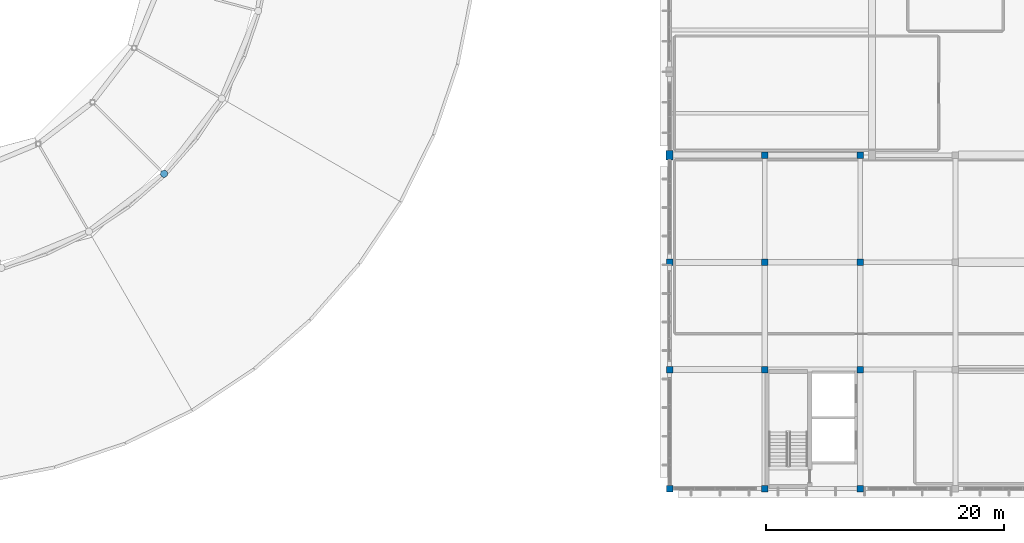
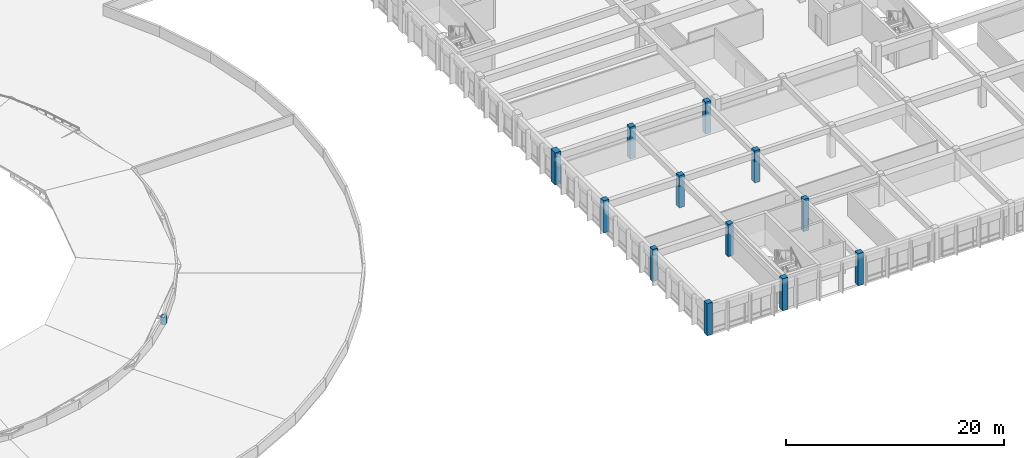
# One storey, part 4 of 77: 13 columns.
"""IFC4 building model written with IfcOpenShell, lengths in metres."""

from ifc_helpers import new_model, si_unit, direction, frame, origin, origin_2d, place, context, subcontext, project, spatial, rectangle, circle, extrude, material, material_profile, profile_set, type_object, element, save


model = new_model("IFC4")

# Units and contexts
model_context = context("Model", 3, precision=1e-05, world=origin(), true_north=direction((0.0, 1.0)))
body_context = subcontext(model_context, "Body", "Model", "MODEL_VIEW")
ifc_project = project(units=[si_unit("LENGTHUNIT", "METRE"), si_unit("AREAUNIT", "SQUARE_METRE"), si_unit("VOLUMEUNIT", "CUBIC_METRE"), si_unit("PLANEANGLEUNIT", "RADIAN"), si_unit("MASSUNIT", "GRAM", prefix="KILO")], contexts=[model_context])

# Site, building, storey
site_placement = place(None, origin())
site = spatial("IfcSite", under=ifc_project, at=site_placement, CompositionType="ELEMENT")
building_placement = place(site_placement, origin())
building = spatial("IfcBuilding", under=site, at=building_placement, Name="Larkveld Mobility Hub", CompositionType="ELEMENT")
storey_placement = place(building_placement, frame((0.0, 0.0, 12.0)))
storey = spatial("IfcBuildingStorey", under=building, at=storey_placement, Name="L03", CompositionType="ELEMENT", Elevation=12.0)

# Columns
ifc_material_1 = material(Name="Precast concrete C50/60", Category="concrete")
ifc_material_profile_1 = material_profile(ifc_material_1, rectangle(XDim=0.60009765625, YDim=0.800048828125, at=origin_2d()), Name="RC COL 600x800")
ifc_profile_set_1 = profile_set([ifc_material_profile_1], Name="Precast concrete C50/60")
column_type_1 = type_object("IfcColumnType", Name="CL-PC6080", PredefinedType="COLUMN", material=ifc_profile_set_1)
column_1_placement = place(storey_placement, frame((112.0, 28.0, 0.0), z_axis=(0.0, 0.0, 1.0), x_axis=(1.0, 0.0, 0.0)))
element("IfcColumn", 1, at=column_1_placement, inside=storey, type_object=column_type_1, Name="Column EV-X112-Y28 (L03)", PredefinedType="COLUMN", context=body_context, shape_type="SweptSolid", body=[
    extrude(rectangle(XDim=0.60009765625, YDim=0.800048828125, at=origin_2d()), origin(), (0.0, 0.0, 1.0), 3.60009765625),
])
ifc_material_2 = material(Name="Concrete C40/50", Category="concrete")
ifc_material_profile_2 = material_profile(ifc_material_2, rectangle(XDim=0.550048828125, YDim=0.550048828125, at=origin_2d()), Name="RC COL 550x550")
ifc_profile_set_2 = profile_set([ifc_material_profile_2], Name="Concrete C40/50")
column_type_2 = type_object("IfcColumnType", Name="CL-RC550", PredefinedType="COLUMN", material=ifc_profile_set_2)
for number, where, z_axis, x_axis, name in (
    (2, (112.0, 0.0, 0.0), (0.0, 0.0, 1.0), (1.0, 0.0, 0.0), "Column V6-X112-Y0 (L03)"),
    (3, (112.0, 10.0, 0.0), (0.0, 0.0, 1.0), (1.0, 0.0, 0.0), "Column V6-X112-Y10 (L03)"),
    (4, (112.0, 19.0, 0.0), (0.0, 0.0, 1.0), (1.0, 0.0, 0.0), "Column V6-X112-Y19 (L03)"),
    (5, (120.0, 0.0, 0.0), (0.0, 0.0, 1.0), (1.0, 0.0, 0.0), "Column V6-X120-Y0 (L03)"),
    (6, (120.0, 10.0, 0.0), (0.0, 0.0, 1.0), (1.0, 0.0, 0.0), "Column V6-X120-Y10 (L03)"),
    (7, (120.0, 19.0, 0.0), (0.0, 0.0, 1.0), (1.0, 0.0, 0.0), "Column V6-X120-Y19 (L03)"),
    (8, (120.0, 28.0, 0.0), (0.0, 0.0, 1.0), (1.0, 0.0, 0.0), "Column V6-X120-Y28 (L03)"),
    (9, (128.0, 0.0, 0.0), (0.0, 0.0, 1.0), (1.0, 0.0, 0.0), "Column V6-X128-Y0 (L03)"),
    (10, (128.0, 10.0, 0.0), (0.0, 0.0, 1.0), (1.0, 0.0, 0.0), "Column V6-X128-Y10 (L03)"),
    (11, (128.0, 19.0, 0.0), (0.0, 0.0, 1.0), (1.0, 0.0, 0.0), "Column V6-X128-Y19 (L03)"),
    (12, (128.0, 28.0, 0.0), (0.0, 0.0, 1.0), (1.0, 0.0, 0.0), "Column V6-X128-Y28 (L03)"),
):
    element("IfcColumn", number, at=place(storey_placement, frame(where, z_axis=z_axis, x_axis=x_axis)), inside=storey, type_object=column_type_2, Name=name, PredefinedType="COLUMN", context=body_context, shape_type="SweptSolid", body=[
        extrude(rectangle(XDim=0.550048828125, YDim=0.550048828125, at=origin_2d()), origin(), (0.0, 0.0, 1.0), 3.60009765625),
    ])
ifc_material_profile_3 = material_profile(ifc_material_2, circle(Radius=0.300048828125, at=origin_2d()), Name="RC COL D600")
ifc_profile_set_3 = profile_set([ifc_material_profile_3], Name="Concrete C40/50")
column_type_3 = type_object("IfcColumnType", Name="CL-RCD600", PredefinedType="COLUMN", material=ifc_profile_set_3)
column_2_placement = place(storey_placement, frame((69.56689453125, 26.43310546875, 0.0), z_axis=(0.0, 0.0, 1.0), x_axis=(1.0, 0.0, 0.0)))
element("IfcColumn", 13, at=column_2_placement, inside=storey, type_object=column_type_3, Name="Column DRM-R30-K42 (L03)", PredefinedType="COLUMN", context=body_context, shape_type="SweptSolid", body=[
    extrude(circle(Radius=0.300048828125, at=origin_2d()), origin(), (0.0, 0.0, 1.0), 0.820068359375),
])

save(model, "model.ifc")
